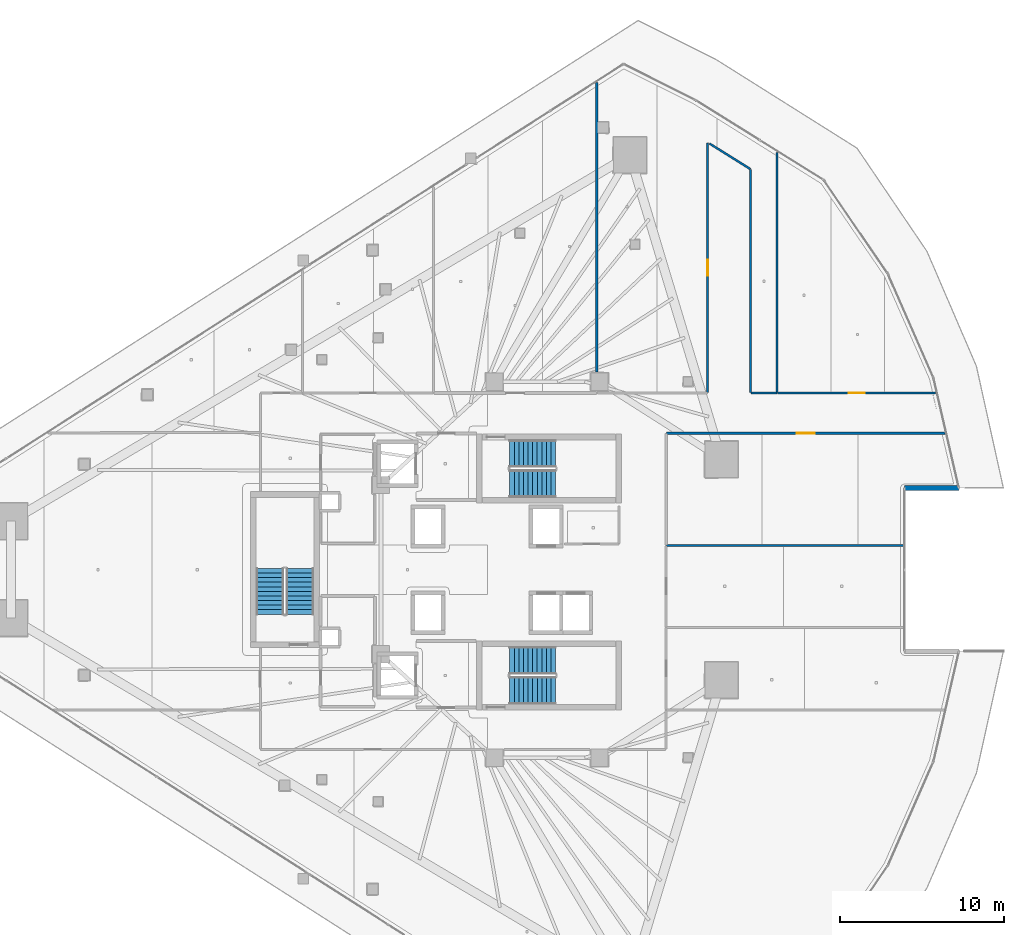
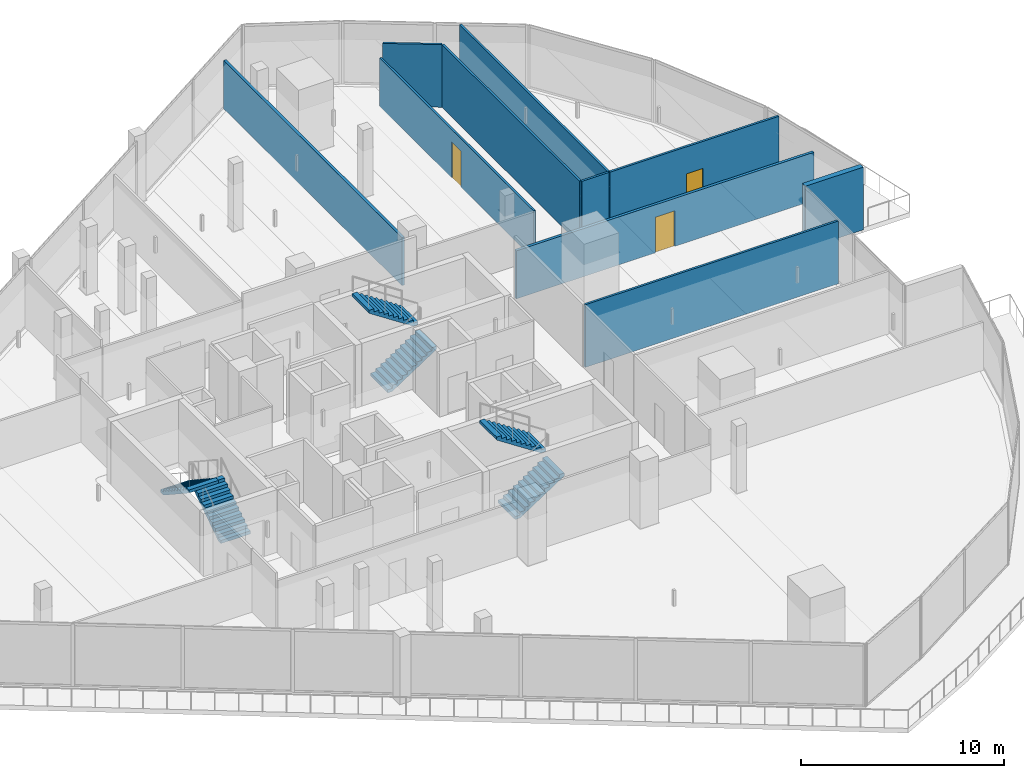
# One storey, part 25 of 35: 10 walls, 6 stair flights, 3 doors, 3 openings, 3 elements without a shape of their own.
"""IFC4 building model written with IfcOpenShell, lengths in metres."""

import ifcopenshell
import ifcopenshell.guid

model = None  # the IFC model being written
_history = None  # IfcOwnerHistory: only IFC2X3 demands one
_inside = {}  # id of a spatial element -> (the spatial element, [elements in it])
_under = {}  # id of a project, library or spatial element -> (it, [spatial elements below it])
_declared = {}  # id of a project -> (the project, [libraries it declares])
_typed = {}  # id of a type object -> (the type object, [elements of that type])
_made_of = {}  # id of a material, layer set ... -> (it, [elements and type objects made of it])


def new_model(schema):
    """Start an empty IFC model of exactly this schema.

    Asked for "IFC4X3", IfcOpenShell would pick the latest addendum, in which some entities
    have other attributes; the version numbers below select the first issue.
    IFC2X3 requires an IfcOwnerHistory on every rooted entity: one is made here for all.
    """
    global model, _history
    if schema == "IFC4X3":
        model = ifcopenshell.file(schema_version=(4, 3, 0, 0))
    else:
        model = ifcopenshell.file(schema=schema)
    _inside.clear()
    _under.clear()
    _declared.clear()
    _typed.clear()
    _made_of.clear()
    _history = None
    if model.schema == "IFC2X3":
        org = make("IfcOrganization", Name="unknown")
        user = make(
            "IfcPersonAndOrganization",
            ThePerson=make("IfcPerson", FamilyName="unknown"),
            TheOrganization=org,
        )
        app = make(
            "IfcApplication",
            ApplicationDeveloper=org,
            Version="unknown",
            ApplicationFullName="unknown",
            ApplicationIdentifier="unknown",
        )
        _history = make(
            "IfcOwnerHistory",
            OwningUser=user,
            OwningApplication=app,
            ChangeAction="ADDED",
            CreationDate=0,
        )
    return model


def make(cls, **values):
    """One entity of the class cls with the attributes given. An attribute that is None is left unset."""
    return model.create_entity(
        cls, **{name: value for name, value in values.items() if value is not None}
    )


def rooted(cls, **values):
    """An entity with a GlobalId (a new one), such as an element, a storey or a relation."""
    return make(cls, GlobalId=ifcopenshell.guid.new(), OwnerHistory=_history, **values)


def si_unit(unit_type, name, prefix=None):
    """IfcSIUnit, for example si_unit("LENGTHUNIT", "METRE", prefix="MILLI")."""
    return make("IfcSIUnit", UnitType=unit_type, Prefix=prefix, Name=name)


def assignment(units):
    """IfcUnitAssignment: the units of a project."""
    return None if units is None else make("IfcUnitAssignment", Units=units)


def point(xyz):
    """IfcCartesianPoint."""
    return None if xyz is None else make("IfcCartesianPoint", Coordinates=xyz)


def direction(xyz):
    """IfcDirection."""
    return None if xyz is None else make("IfcDirection", DirectionRatios=xyz)


def frame(location, z_axis=None, x_axis=None):
    """IfcAxis2Placement3D, a coordinate frame: its origin and axes. An axis left out is left unset."""
    return make(
        "IfcAxis2Placement3D",
        Location=point(location),
        Axis=direction(z_axis),
        RefDirection=direction(x_axis),
    )


def frame_2d(location, x_axis=None):
    """IfcAxis2Placement2D, a coordinate frame in the plane: its origin and x axis."""
    return make(
        "IfcAxis2Placement2D", Location=point(location), RefDirection=direction(x_axis)
    )


def origin():
    """The frame at (0, 0, 0) with its axes left unset."""
    return frame((0.0, 0.0, 0.0))


def place(relative_to, where):
    """IfcLocalPlacement: puts the frame where relative to a parent placement (None: the world)."""
    return make(
        "IfcLocalPlacement", PlacementRelTo=relative_to, RelativePlacement=where
    )


def context(
    kind, dimensions, precision=None, world=None, true_north=None, identifier=None
):
    """IfcGeometricRepresentationContext, for example the 3D "Model" context."""
    return make(
        "IfcGeometricRepresentationContext",
        ContextIdentifier=identifier,
        ContextType=kind,
        CoordinateSpaceDimension=dimensions,
        Precision=precision,
        WorldCoordinateSystem=world,
        TrueNorth=true_north,
    )


def subcontext(parent, identifier, kind, view, scale=None):
    """IfcGeometricRepresentationSubContext, for example "Body" below "Model"."""
    return make(
        "IfcGeometricRepresentationSubContext",
        ContextIdentifier=identifier,
        ContextType=kind,
        ParentContext=parent,
        TargetScale=scale,
        TargetView=view,
    )


def project(units=None, contexts=None):
    """IfcProject with its units and contexts."""
    return rooted(
        "IfcProject",
        Name="project",
        RepresentationContexts=contexts,
        UnitsInContext=assignment(units),
    )


def spatial(cls, under=None, at=None, **own):
    """A site, building, storey or space (cls), placed at a placement, below another one or the project."""
    s = rooted(cls, ObjectPlacement=at, **own)
    if under is not None:
        _under.setdefault(under.id(), (under, []))[1].append(s)
    return s


def polyline(points):
    """IfcPolyline through the points."""
    return make("IfcPolyline", Points=[point(p) for p in points])


def profile(cls, at=None, kind="AREA", **sizes):
    """A parametric profile (cls). Its sizes go by their IFC names, for example OverallWidth=200.0."""
    return make(cls, ProfileType=kind, Position=at, **sizes)


def rectangle(**sizes):
    """IfcRectangleProfileDef."""
    return profile("IfcRectangleProfileDef", **sizes)


def outline(outer, holes=None, kind="AREA"):
    """IfcArbitraryClosedProfileDef: a profile drawn as a closed curve; with holes, ...WithVoids."""
    if holes is None:
        return make("IfcArbitraryClosedProfileDef", ProfileType=kind, OuterCurve=outer)
    return make(
        "IfcArbitraryProfileDefWithVoids",
        ProfileType=kind,
        OuterCurve=outer,
        InnerCurves=holes,
    )


def extrude(swept, where, along, depth):
    """IfcExtrudedAreaSolid: the profile swept, set in the frame where, extruded along a direction by depth."""
    return make(
        "IfcExtrudedAreaSolid",
        SweptArea=swept,
        Position=where,
        ExtrudedDirection=direction(along),
        Depth=depth,
    )


def shape(context_of_items, identifier, shape_type, items):
    """IfcShapeRepresentation: the items that make up one representation, for example the "Body"."""
    return make(
        "IfcShapeRepresentation",
        ContextOfItems=context_of_items,
        RepresentationIdentifier=identifier,
        RepresentationType=shape_type,
        Items=items,
    )


def material(Name=None, Category=None):
    """IfcMaterial."""
    return make("IfcMaterial", Name=Name, Category=Category)


def layer(
    of_material, thickness, ventilated=None, Name=None, Category=None, Priority=None
):
    """IfcMaterialLayer: one layer of a wall or slab, of a material (None: an air gap)."""
    return make(
        "IfcMaterialLayer",
        Material=of_material,
        LayerThickness=thickness,
        IsVentilated=ventilated,
        Name=Name,
        Category=Category,
        Priority=Priority,
    )


def layer_set(layers, Name=None):
    """IfcMaterialLayerSet."""
    return make("IfcMaterialLayerSet", MaterialLayers=layers, LayerSetName=Name)


def made_of(thing, what):
    """Note that an element or type object is made of a material, layer set ...; save() writes the relation."""
    if what is not None:
        _made_of.setdefault(what.id(), (what, []))[1].append(thing)
    return thing


def type_object(cls, material=None, **own):
    """A type object (cls), such as IfcWallType, which elements share."""
    return made_of(rooted(cls, **own), material)


def element(
    cls,
    number,
    at=None,
    inside=None,
    cuts=None,
    type_object=None,
    material=None,
    context=None,
    identifier="Body",
    shape_type=None,
    held_by="IfcProductDefinitionShape",
    body=None,
    shapes=None,
    **own,
):
    """One element of the class cls, such as IfcWall. Its Tag is "e" and its number.

    at: its placement. inside: the storey or other place that contains it. cuts: it is an
    opening in that element (IfcRelVoidsElement). A single representation is given by context,
    identifier, shape_type and body (its items); several are given by shapes. held_by: the class
    of the entity that holds the representations. save() writes the other relations.
    """
    e = rooted(cls, Tag="e%d" % number, ObjectPlacement=at, **own)
    if body is not None:
        shapes = [shape(context, identifier, shape_type, body)]
    if shapes is not None:
        e.Representation = make(held_by, Representations=shapes)
    if inside is not None:
        _inside.setdefault(inside.id(), (inside, []))[1].append(e)
    if cuts is not None:
        rooted(
            "IfcRelVoidsElement", RelatingBuildingElement=cuts, RelatedOpeningElement=e
        )
    if type_object is not None:
        _typed.setdefault(type_object.id(), (type_object, []))[1].append(e)
    return made_of(e, material)


def fill(opening, filler):
    """IfcRelFillsElement: the door or window that sits in an opening."""
    return rooted(
        "IfcRelFillsElement",
        RelatingOpeningElement=opening,
        RelatedBuildingElement=filler,
    )


def aggregate(whole, parts):
    """IfcRelAggregates: a whole, such as a stair, and the parts it consists of."""
    return rooted("IfcRelAggregates", RelatingObject=whole, RelatedObjects=parts)


def save(model, path):
    """Write the relations noted so far, then the file.

    IfcRelAggregates (storeys below a building ...), IfcRelContainedInSpatialStructure (elements
    in a storey), IfcRelDefinesByType, IfcRelAssociatesMaterial and IfcRelDeclares: one each for
    every whole, place, type object, material and project.
    """
    for whole, parts in _under.values():
        aggregate(whole, parts)
    for where, things in _inside.values():
        rooted(
            "IfcRelContainedInSpatialStructure",
            RelatedElements=things,
            RelatingStructure=where,
        )
    for kind, things in _typed.values():
        rooted("IfcRelDefinesByType", RelatedObjects=things, RelatingType=kind)
    for what, things in _made_of.values():
        rooted("IfcRelAssociatesMaterial", RelatedObjects=things, RelatingMaterial=what)
    for by, libraries in _declared.values():
        rooted("IfcRelDeclares", RelatingContext=by, RelatedDefinitions=libraries)
    model.write(path)


model = new_model("IFC4")

# Units and contexts
model_context = context("Model", 3, precision=1e-05, world=origin(), true_north=direction((0.0, 1.0)))
body_context = subcontext(model_context, "Body", "Model", "MODEL_VIEW")
ifc_project = project(units=[si_unit("LENGTHUNIT", "METRE"), si_unit("AREAUNIT", "SQUARE_METRE"), si_unit("VOLUMEUNIT", "CUBIC_METRE"), si_unit("PLANEANGLEUNIT", "RADIAN"), si_unit("MASSUNIT", "GRAM", prefix="KILO")], contexts=[model_context])

# Site, building, storey
site_placement = place(None, origin())
site = spatial("IfcSite", under=ifc_project, at=site_placement, CompositionType="ELEMENT")
building_placement = place(site_placement, origin())
building = spatial("IfcBuilding", under=site, at=building_placement, Name="Qorvath Tower", CompositionType="ELEMENT")
storey_placement = place(building_placement, frame((0.0, 0.0, 130.050048828125)))
storey = spatial("IfcBuildingStorey", under=building, at=storey_placement, Name="L29", CompositionType="ELEMENT", Elevation=130.050048828125)

# Wall
ifc_material_1 = material(Name="Double acoustic gypsum board on steel studs", Category="steel")
ifc_layer_1 = layer(ifc_material_1, 0.159912109375)
ifc_layer_set_1 = layer_set([ifc_layer_1], Name="IW-ACOUSTIC-160")
wall_type_1 = type_object("IfcWallType", Name="IW-ACOUSTIC-160", PredefinedType="PARTITIONING", material=ifc_layer_set_1)
wall_1_placement = place(storey_placement, frame((-17.36572265625, 12.0400390625, 0.0), z_axis=(0.0, 0.0, 1.0), x_axis=(0.0, 1.0, 0.0)))
element("IfcWall", 1, at=wall_1_placement, inside=storey, type_object=wall_type_1, Name="Interior Partition IW-T1-L29-026", PredefinedType="PARTITIONING", context=body_context, shape_type="SweptSolid", body=[
    extrude(rectangle(XDim=17.62841796875, YDim=0.159912109375, at=frame_2d((8.814208984375, 0.0))), origin(), (0.0, 0.0, 1.0), 2.89501953125),
])

# Wall, opening, door
wall_2_placement = place(storey_placement, frame((3.845703125, 8.31201171875, 0.0), z_axis=(0.0, 0.0, 1.0), x_axis=(-1.0, 0.0, 0.0)))
wall_2 = element("IfcWall", 2, at=wall_2_placement, inside=storey, type_object=wall_type_1, Name="Interior Partition IW-T1-L29-045", PredefinedType="PARTITIONING", context=body_context, shape_type="SweptSolid", body=[
    extrude(rectangle(XDim=16.962890625, YDim=0.159912109375, at=frame_2d((8.4814453125, 0.0))), origin(), (0.0, 0.0, 1.0), 2.89501953125),
])
opening_1_placement = place(wall_2_placement, frame((7.931396484375, 0.0, 0.0)))
opening_1 = element("IfcOpeningElement", 3, at=opening_1_placement, cuts=wall_2, Name="Opening D-T1-L29-12", PredefinedType="OPENING", context=body_context, shape_type="SweptSolid", body=[
    extrude(rectangle(XDim=1.10009765625, YDim=2.14990234375, at=frame_2d((0.550048828125, 1.074951171875))), frame((0.0, 0.08984375, 0.0), z_axis=(0.0, -1.0, 0.0), x_axis=(1.0, 0.0, 0.0)), (0.0, 0.0, 1.0), 0.179931640625),
])
ifc_material_2 = material(Name="Anodised aluminium acoustic framed glass", Category="aluminium")
door_type_1 = type_object("IfcDoorType", Name="D-03", OperationType="NOTDEFINED", PredefinedType="DOOR", material=ifc_material_2)
door_1_placement = place(opening_1_placement, origin())
door_1 = element("IfcDoor", 4, at=door_1_placement, inside=storey, type_object=door_type_1, Name="L29-09 Digital Visualization Suite Door D-T1-L29-12", OperationType="SINGLE_SWING_RIGHT", OverallHeight=2.14990234375, OverallWidth=1.10009765625, PredefinedType="DOOR", context=body_context, shape_type="SweptSolid", body=[
    extrude(rectangle(XDim=1.10009765625, YDim=2.14990234375, at=frame_2d((0.550048828125, 1.074951171875))), frame((0.0, 0.02490234375, 0.0), z_axis=(0.0, -1.0, 0.0), x_axis=(1.0, 0.0, 0.0)), (0.0, 0.0, 1.0), 0.050048828125),
])
fill(opening_1, door_1)

ifc_material_3 = material(Name="Gypsum board on metal studs with mineral wool", Category="gypsum")
ifc_layer_2 = layer(ifc_material_3, 0.125)
ifc_layer_set_2 = layer_set([ifc_layer_2], Name="IW-PART-125")
wall_type_2 = type_object("IfcWallType", Name="IW-PART-125", PredefinedType="PARTITIONING", material=ifc_layer_set_2)
wall_3_placement = place(storey_placement, frame((-10.60791015625, 10.783203125, 0.0), z_axis=(0.0, 0.0, 1.0), x_axis=(0.0, 1.0, 0.0)))
wall_3 = element("IfcWall", 5, at=wall_3_placement, inside=storey, type_object=wall_type_2, Name="Interior Partition IW-T1-L29-028", PredefinedType="PARTITIONING", context=body_context, shape_type="SweptSolid", body=[
    extrude(rectangle(XDim=15.21337890625, YDim=0.125, at=frame_2d((7.606689453125, 0.0))), origin(), (0.0, 0.0, 1.0), 2.89990234375),
])
opening_2_placement = place(wall_3_placement, frame((7.131591796875, 0.0, 0.0)))
opening_2 = element("IfcOpeningElement", 6, at=opening_2_placement, cuts=wall_3, Name="Opening D-T1-L29-07", PredefinedType="OPENING", context=body_context, shape_type="SweptSolid", body=[
    extrude(rectangle(XDim=0.949951171875, YDim=2.14990234375, at=frame_2d((0.47509765625, 1.074951171875))), frame((0.0, 0.072509765625, 0.0), z_axis=(0.0, -1.0, 0.0), x_axis=(1.0, 0.0, 0.0)), (0.0, 0.0, 1.0), 0.14501953125),
])
ifc_material_4 = material(Name="Solid-core American white oak veneer", Category="wood")
door_type_2 = type_object("IfcDoorType", Name="D-01", OperationType="NOTDEFINED", PredefinedType="DOOR", material=ifc_material_4)
door_2_placement = place(opening_2_placement, origin())
door_2 = element("IfcDoor", 7, at=door_2_placement, inside=storey, type_object=door_type_2, Name="L29-04 Project Collaboration Workspace Door D-T1-L29-07", OperationType="SINGLE_SWING_LEFT", OverallHeight=2.14990234375, OverallWidth=0.949951171875, PredefinedType="DOOR", context=body_context, shape_type="SweptSolid", body=[
    extrude(rectangle(XDim=0.949951171875, YDim=2.14990234375, at=frame_2d((0.47509765625, 1.074951171875))), frame((0.0, 0.02490234375, 0.0), z_axis=(0.0, -1.0, 0.0), x_axis=(1.0, 0.0, 0.0)), (0.0, 0.0, 1.0), 0.050048828125),
])
fill(opening_2, door_2)

# Walls
wall_4_placement = place(storey_placement, frame((-8.01318359375, 24.402099609375, 0.0), z_axis=(0.0, 0.0, 1.0), x_axis=(-0.848320763836, 0.529482654716, 0.0)))
element("IfcWall", 8, at=wall_4_placement, inside=storey, type_object=wall_type_2, Name="Interior Partition IW-T1-L29-029", PredefinedType="PARTITIONING", context=body_context, shape_type="SweptSolid", body=[
    extrude(rectangle(XDim=2.93359375, YDim=0.125, at=frame_2d((1.466796875, 0.0))), origin(), (0.0, 0.0, 1.0), 3.780029296875),
])
wall_5_placement = place(storey_placement, frame((-7.991943359375, 10.783203125, 0.0), z_axis=(0.0, 0.0, 1.0), x_axis=(0.0, 1.0, 0.0)))
element("IfcWall", 9, at=wall_5_placement, inside=storey, type_object=wall_type_2, Name="Interior Partition IW-T1-L29-030", PredefinedType="PARTITIONING", context=body_context, shape_type="SweptSolid", body=[
    extrude(rectangle(XDim=13.580810546875, YDim=0.125, at=frame_2d((6.79052734375, 0.0))), origin(), (0.0, 0.0, 1.0), 3.780029296875),
])
wall_6_placement = place(storey_placement, frame((-7.966796875, 10.758056640625, 0.0), z_axis=(0.0, 0.0, 1.0), x_axis=(1.0, 0.0, 0.0)))
element("IfcWall", 10, at=wall_6_placement, inside=storey, type_object=wall_type_2, Name="Interior Partition IW-T1-L29-031", PredefinedType="PARTITIONING", context=body_context, shape_type="SweptSolid", body=[
    extrude(rectangle(XDim=1.564208984375, YDim=0.125, at=frame_2d((0.7822265625, 0.0))), origin(), (0.0, 0.0, 1.0), 3.780029296875),
])
wall_7_placement = place(storey_placement, frame((-6.377685546875, 10.783203125, 0.0), z_axis=(0.0, 0.0, 1.0), x_axis=(0.0, 1.0, 0.0)))
element("IfcWall", 11, at=wall_7_placement, inside=storey, type_object=wall_type_2, Name="Interior Partition IW-T1-L29-032", PredefinedType="PARTITIONING", context=body_context, shape_type="SweptSolid", body=[
    extrude(rectangle(XDim=14.63037109375, YDim=0.125, at=frame_2d((7.315185546875, 0.0))), origin(), (0.0, 0.0, 1.0), 3.780029296875),
])

# Wall, opening, door
wall_8_placement = place(storey_placement, frame((-6.344482421875, 10.758056640625, 0.0), z_axis=(0.0, 0.0, 1.0), x_axis=(1.0, 0.0, 0.0)))
wall_8 = element("IfcWall", 12, at=wall_8_placement, inside=storey, type_object=wall_type_2, Name="Interior Partition IW-T1-L29-033", PredefinedType="PARTITIONING", context=body_context, shape_type="SweptSolid", body=[
    extrude(rectangle(XDim=9.624755859375, YDim=0.125, at=frame_2d((4.8125, 0.0))), origin(), (0.0, 0.0, 1.0), 3.780029296875),
])
opening_3_placement = place(wall_8_placement, frame((4.33740234375, 0.0, 0.0)))
opening_3 = element("IfcOpeningElement", 13, at=opening_3_placement, cuts=wall_8, Name="Opening D-T1-L29-08", PredefinedType="OPENING", context=body_context, shape_type="SweptSolid", body=[
    extrude(rectangle(XDim=0.949951171875, YDim=2.14990234375, at=frame_2d((0.47509765625, 1.074951171875))), frame((0.0, 0.072509765625, 0.0), z_axis=(0.0, -1.0, 0.0), x_axis=(1.0, 0.0, 0.0)), (0.0, 0.0, 1.0), 0.14501953125),
])
door_3_placement = place(opening_3_placement, origin())
door_3 = element("IfcDoor", 14, at=door_3_placement, inside=storey, type_object=door_type_2, Name="L29-05 Staff Wellness Studio Door D-T1-L29-08", OperationType="SINGLE_SWING_RIGHT", OverallHeight=2.14990234375, OverallWidth=0.949951171875, PredefinedType="DOOR", context=body_context, shape_type="SweptSolid", body=[
    extrude(rectangle(XDim=0.949951171875, YDim=2.14990234375, at=frame_2d((0.47509765625, 1.074951171875))), frame((0.0, 0.02490234375, 0.0), z_axis=(0.0, -1.0, 0.0), x_axis=(1.0, 0.0, 0.0)), (0.0, 0.0, 1.0), 0.050048828125),
])
fill(opening_3, door_3)

# Walls
wall_9_placement = place(storey_placement, frame((1.306884765625, 1.477783203125, 0.0), z_axis=(0.0, 0.0, 1.0), x_axis=(-1.0, 0.0, 0.0)))
element("IfcWall", 15, at=wall_9_placement, inside=storey, type_object=wall_type_2, Name="Interior Partition IW-T1-L29-044", PredefinedType="PARTITIONING", context=body_context, shape_type="SweptSolid", body=[
    extrude(rectangle(XDim=14.424072265625, YDim=0.125, at=frame_2d((7.2119140625, 0.0))), origin(), (0.0, 0.0, 1.0), 3.780029296875),
])
ifc_material_5 = material(Name="Precast concrete C45/55", Category="concrete")
ifc_layer_3 = layer(ifc_material_5, 0.300048828125)
ifc_layer_set_3 = layer_set([ifc_layer_3], Name="WL-EW-LOG-300")
wall_type_3 = type_object("IfcWallType", Name="WL-EW-LOG-300", PredefinedType="SOLIDWALL", material=ifc_layer_set_3)
wall_10_placement = place(storey_placement, frame((1.386962890625, 4.968017578125, 0.0), z_axis=(0.0, 0.0, 1.0), x_axis=(1.0, 0.0, 0.0)))
element("IfcWall", 16, at=wall_10_placement, inside=storey, type_object=wall_type_3, Name="Tower Precast Loggia Wall L29-10.1", PredefinedType="SOLIDWALL", context=body_context, shape_type="SweptSolid", body=[
    extrude(rectangle(XDim=3.31201171875, YDim=0.300048828125, at=frame_2d((1.656005859375, 0.0))), origin(), (0.0, 0.0, 1.0), 3.780029296875),
])

# Stair, stair flights
ifc_material_6 = material(Name="Concrete C50/60", Category="concrete")
stair_type = type_object("IfcStairType", Name="ST-H405", PredefinedType="HALF_TURN_STAIR", material=ifc_material_6)
stair_1_placement = place(storey_placement, origin())
stair_1 = element("IfcStair", 17, at=stair_1_placement, inside=storey, type_object=stair_type, Name="L29 Tower Exit Stair 1", PredefinedType="HALF_TURN_STAIR")
ifc_material_7 = material(Name="Concrete C50/60", Category="concrete")
ifc_layer_4 = layer(ifc_material_7, 0.14990234375)
ifc_layer_set_4 = layer_set([ifc_layer_4], Name="SF-H405")
stair_flight_type = type_object("IfcStairFlightType", Name="SF-H405", PredefinedType="STRAIGHT", material=ifc_layer_set_4)
stair_flight_1_placement = place(storey_placement, frame((-22.669921875, 5.239990234375, 0.0), z_axis=(0.0, 0.0, 1.0), x_axis=(1.0, 0.0, 0.0)))
stair_flight_1 = element("IfcStairFlight", 18, at=stair_flight_1_placement, type_object=stair_flight_type, Name="TS1 flight 1", NumberOfRisers=11, NumberOfTreads=10, PredefinedType="STRAIGHT", RiserHeight=0.184090909, TreadLength=0.28, context=body_context, shape_type="SweptSolid", body=[
    extrude(outline(polyline([(0.0, 0.0), (0.0, 0.18408203125), (0.280029296875, 0.18408203125), (0.280029296875, 0.3681640625), (0.56005859375, 0.3681640625), (0.56005859375, 0.55224609375), (0.840087890625, 0.55224609375), (0.840087890625, 0.736328125), (1.1201171875, 0.736328125), (1.1201171875, 0.92041015625), (1.39990234375, 0.92041015625), (1.39990234375, 1.1044921875), (1.679931640625, 1.1044921875), (1.679931640625, 1.28857421875), (1.9599609375, 1.28857421875), (1.9599609375, 1.47265625), (2.239990234375, 1.47265625), (2.239990234375, 1.65673828125), (2.52001953125, 1.65673828125), (2.52001953125, 1.8408203125), (2.800048828125, 1.8408203125), (2.800048828125, 2.02490234375), (2.800048828125, 1.66162109375), (0.27294921875, 0.0), (0.0, 0.0)])), frame((0.0, 0.83984375, 0.0), z_axis=(0.0, -1.0, 0.0), x_axis=(1.0, 0.0, 0.0)), (0.0, 0.0, 1.0), 1.679931640625),
])
stair_flight_2_placement = place(storey_placement, frame((-19.8701171875, 7.070068359375, 2.02490234375), z_axis=(0.0, 0.0, 1.0), x_axis=(-1.0, 0.0, 0.0)))
stair_flight_2 = element("IfcStairFlight", 19, at=stair_flight_2_placement, type_object=stair_flight_type, Name="TS1 flight 2", NumberOfRisers=11, NumberOfTreads=10, PredefinedType="STRAIGHT", RiserHeight=0.184090909, TreadLength=0.28, context=body_context, shape_type="SweptSolid", body=[
    extrude(outline(polyline([(0.0, 0.0), (0.0, 0.18408203125), (0.280029296875, 0.18408203125), (0.280029296875, 0.3681640625), (0.56005859375, 0.3681640625), (0.56005859375, 0.55224609375), (0.840087890625, 0.55224609375), (0.840087890625, 0.736328125), (1.1201171875, 0.736328125), (1.1201171875, 0.92041015625), (1.39990234375, 0.92041015625), (1.39990234375, 1.1044921875), (1.679931640625, 1.1044921875), (1.679931640625, 1.28857421875), (1.9599609375, 1.28857421875), (1.9599609375, 1.47265625), (2.239990234375, 1.47265625), (2.239990234375, 1.65673828125), (2.52001953125, 1.65673828125), (2.52001953125, 1.8408203125), (2.800048828125, 1.8408203125), (2.800048828125, 2.02490234375), (2.800048828125, 1.66162109375), (0.27294921875, 0.0), (0.0, 0.0)])), frame((0.0, 0.83984375, 0.0), z_axis=(0.0, -1.0, 0.0), x_axis=(1.0, 0.0, 0.0)), (0.0, 0.0, 1.0), 1.679931640625),
])
aggregate(stair_1, [stair_flight_1, stair_flight_2])

stair_2_placement = place(storey_placement, origin())
stair_2 = element("IfcStair", 20, at=stair_2_placement, inside=storey, type_object=stair_type, Name="L29 Tower Exit Stair 2", PredefinedType="HALF_TURN_STAIR")
stair_flight_3_placement = place(storey_placement, frame((-22.669921875, -7.360107421875, 0.0), z_axis=(0.0, 0.0, 1.0), x_axis=(1.0, 0.0, 0.0)))
stair_flight_3 = element("IfcStairFlight", 21, at=stair_flight_3_placement, type_object=stair_flight_type, Name="TS2 flight 1", NumberOfRisers=11, NumberOfTreads=10, PredefinedType="STRAIGHT", RiserHeight=0.184090909, TreadLength=0.28, context=body_context, shape_type="SweptSolid", body=[
    extrude(outline(polyline([(0.0, 0.0), (0.0, 0.18408203125), (0.280029296875, 0.18408203125), (0.280029296875, 0.3681640625), (0.56005859375, 0.3681640625), (0.56005859375, 0.55224609375), (0.840087890625, 0.55224609375), (0.840087890625, 0.736328125), (1.1201171875, 0.736328125), (1.1201171875, 0.92041015625), (1.39990234375, 0.92041015625), (1.39990234375, 1.1044921875), (1.679931640625, 1.1044921875), (1.679931640625, 1.28857421875), (1.9599609375, 1.28857421875), (1.9599609375, 1.47265625), (2.239990234375, 1.47265625), (2.239990234375, 1.65673828125), (2.52001953125, 1.65673828125), (2.52001953125, 1.8408203125), (2.800048828125, 1.8408203125), (2.800048828125, 2.02490234375), (2.800048828125, 1.66162109375), (0.27294921875, 0.0), (0.0, 0.0)])), frame((0.0, 0.83984375, 0.0), z_axis=(0.0, -1.0, 0.0), x_axis=(1.0, 0.0, 0.0)), (0.0, 0.0, 1.0), 1.679931640625),
])
stair_flight_4_placement = place(storey_placement, frame((-19.8701171875, -5.530029296875, 2.02490234375), z_axis=(0.0, 0.0, 1.0), x_axis=(-1.0, 0.0, 0.0)))
stair_flight_4 = element("IfcStairFlight", 22, at=stair_flight_4_placement, type_object=stair_flight_type, Name="TS2 flight 2", NumberOfRisers=11, NumberOfTreads=10, PredefinedType="STRAIGHT", RiserHeight=0.184090909, TreadLength=0.28, context=body_context, shape_type="SweptSolid", body=[
    extrude(outline(polyline([(0.0, 0.0), (0.0, 0.18408203125), (0.280029296875, 0.18408203125), (0.280029296875, 0.3681640625), (0.56005859375, 0.3681640625), (0.56005859375, 0.55224609375), (0.840087890625, 0.55224609375), (0.840087890625, 0.736328125), (1.1201171875, 0.736328125), (1.1201171875, 0.92041015625), (1.39990234375, 0.92041015625), (1.39990234375, 1.1044921875), (1.679931640625, 1.1044921875), (1.679931640625, 1.28857421875), (1.9599609375, 1.28857421875), (1.9599609375, 1.47265625), (2.239990234375, 1.47265625), (2.239990234375, 1.65673828125), (2.52001953125, 1.65673828125), (2.52001953125, 1.8408203125), (2.800048828125, 1.8408203125), (2.800048828125, 2.02490234375), (2.800048828125, 1.66162109375), (0.27294921875, 0.0), (0.0, 0.0)])), frame((0.0, 0.83984375, 0.0), z_axis=(0.0, -1.0, 0.0), x_axis=(1.0, 0.0, 0.0)), (0.0, 0.0, 1.0), 1.679931640625),
])
aggregate(stair_2, [stair_flight_3, stair_flight_4])

stair_3_placement = place(storey_placement, origin())
stair_3 = element("IfcStair", 23, at=stair_3_placement, inside=storey, type_object=stair_type, Name="L29 Tower Exit Stair 3", PredefinedType="HALF_TURN_STAIR")
stair_flight_5_placement = place(storey_placement, frame((-35.43994140625, -2.719970703125, 0.0), z_axis=(0.0, 0.0, 1.0), x_axis=(0.0, 1.0, 0.0)))
stair_flight_5 = element("IfcStairFlight", 24, at=stair_flight_5_placement, type_object=stair_flight_type, Name="TS3 flight 1", NumberOfRisers=11, NumberOfTreads=10, PredefinedType="STRAIGHT", RiserHeight=0.184090909, TreadLength=0.28, context=body_context, shape_type="SweptSolid", body=[
    extrude(outline(polyline([(0.0, 0.0), (0.0, 0.18408203125), (0.280029296875, 0.18408203125), (0.280029296875, 0.3681640625), (0.56005859375, 0.3681640625), (0.56005859375, 0.55224609375), (0.840087890625, 0.55224609375), (0.840087890625, 0.736328125), (1.1201171875, 0.736328125), (1.1201171875, 0.92041015625), (1.39990234375, 0.92041015625), (1.39990234375, 1.1044921875), (1.679931640625, 1.1044921875), (1.679931640625, 1.28857421875), (1.9599609375, 1.28857421875), (1.9599609375, 1.47265625), (2.239990234375, 1.47265625), (2.239990234375, 1.65673828125), (2.52001953125, 1.65673828125), (2.52001953125, 1.8408203125), (2.800048828125, 1.8408203125), (2.800048828125, 2.02490234375), (2.800048828125, 1.66162109375), (0.27294921875, 0.0), (0.0, 0.0)])), frame((0.0, 0.83984375, 0.0), z_axis=(0.0, -1.0, 0.0), x_axis=(1.0, 0.0, 0.0)), (0.0, 0.0, 1.0), 1.679931640625),
])
stair_flight_6_placement = place(storey_placement, frame((-37.27001953125, 0.080078125, 2.02490234375), z_axis=(0.0, 0.0, 1.0), x_axis=(0.0, -1.0, 0.0)))
stair_flight_6 = element("IfcStairFlight", 25, at=stair_flight_6_placement, type_object=stair_flight_type, Name="TS3 flight 2", NumberOfRisers=11, NumberOfTreads=10, PredefinedType="STRAIGHT", RiserHeight=0.184090909, TreadLength=0.28, context=body_context, shape_type="SweptSolid", body=[
    extrude(outline(polyline([(0.0, 0.0), (0.0, 0.18408203125), (0.280029296875, 0.18408203125), (0.280029296875, 0.3681640625), (0.56005859375, 0.3681640625), (0.56005859375, 0.55224609375), (0.840087890625, 0.55224609375), (0.840087890625, 0.736328125), (1.1201171875, 0.736328125), (1.1201171875, 0.92041015625), (1.39990234375, 0.92041015625), (1.39990234375, 1.1044921875), (1.679931640625, 1.1044921875), (1.679931640625, 1.28857421875), (1.9599609375, 1.28857421875), (1.9599609375, 1.47265625), (2.239990234375, 1.47265625), (2.239990234375, 1.65673828125), (2.52001953125, 1.65673828125), (2.52001953125, 1.8408203125), (2.800048828125, 1.8408203125), (2.800048828125, 2.02490234375), (2.800048828125, 1.66162109375), (0.27294921875, 0.0), (0.0, 0.0)])), frame((0.0, 0.83984375, 0.0), z_axis=(0.0, -1.0, 0.0), x_axis=(1.0, 0.0, 0.0)), (0.0, 0.0, 1.0), 1.679931640625),
])
aggregate(stair_3, [stair_flight_5, stair_flight_6])

save(model, "model.ifc")
